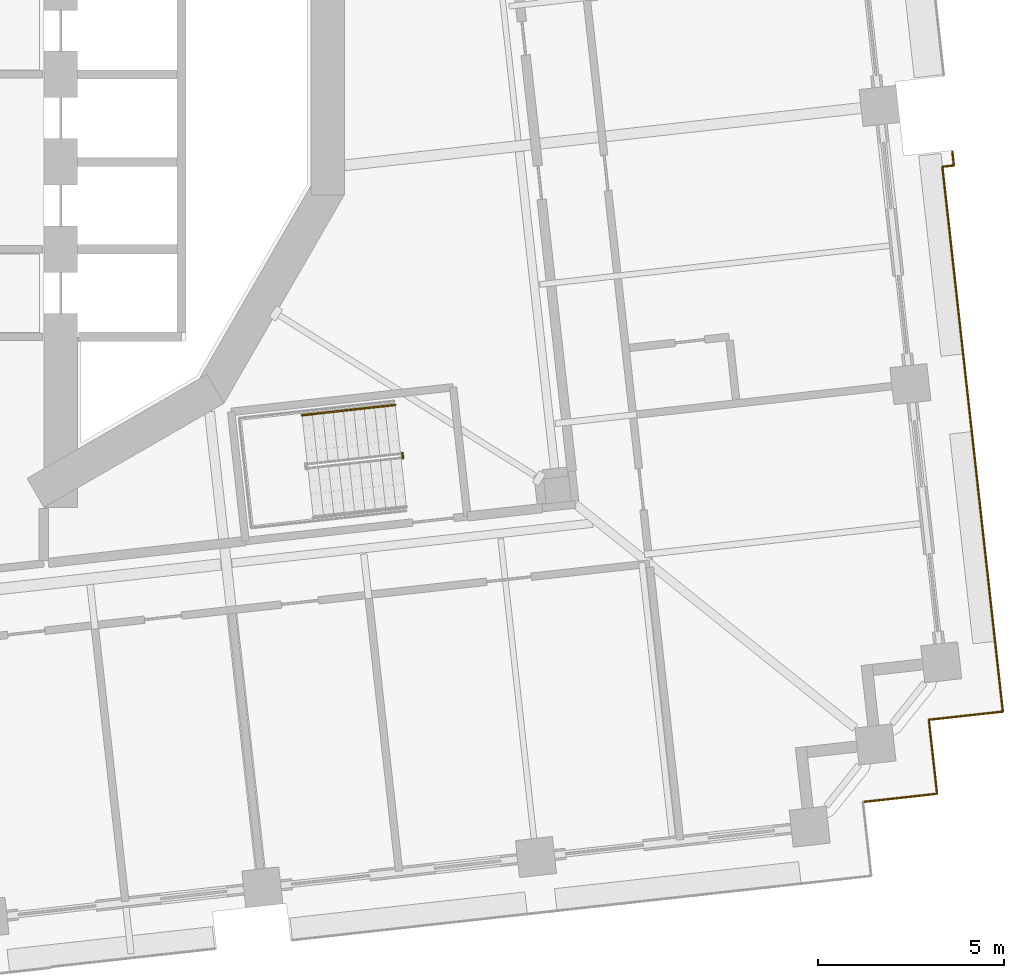
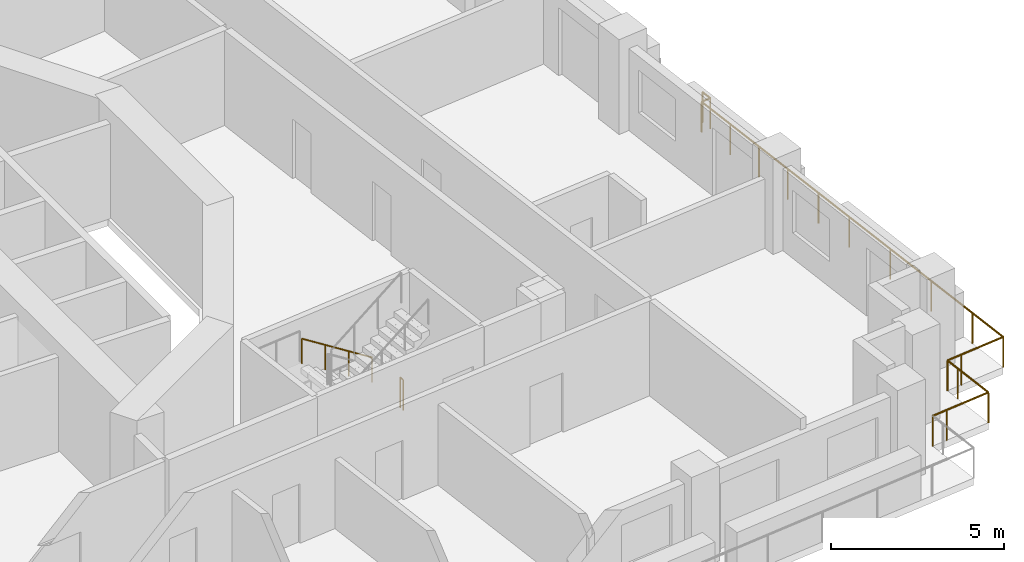
# One storey, part 17 of 21: 3 railings.
"""IFC4 building model written with IfcOpenShell, lengths in metres."""

from ifc_helpers import new_model, si_unit, direction, frame, origin, origin_2d, place, context, subcontext, project, spatial, circle, extrude, material, type_object, element, save


model = new_model("IFC4")

# Units and contexts
model_context = context("Model", 3, precision=1e-05, world=origin(), true_north=direction((0.0, 1.0)))
body_context = subcontext(model_context, "Body", "Model", "MODEL_VIEW")
ifc_project = project(units=[si_unit("LENGTHUNIT", "METRE"), si_unit("AREAUNIT", "SQUARE_METRE"), si_unit("VOLUMEUNIT", "CUBIC_METRE"), si_unit("PLANEANGLEUNIT", "RADIAN"), si_unit("MASSUNIT", "GRAM", prefix="KILO")], contexts=[model_context])

# Site, building, storey
site_placement = place(None, origin())
site = spatial("IfcSite", under=ifc_project, at=site_placement, CompositionType="ELEMENT")
building_placement = place(site_placement, origin())
building = spatial("IfcBuilding", under=site, at=building_placement, Name="Cantera Rosa Tower", CompositionType="ELEMENT")
storey_placement = place(building_placement, frame((0.0, 0.0, 80.5)))
storey = spatial("IfcBuildingStorey", under=building, at=storey_placement, Name="L17", CompositionType="ELEMENT", Elevation=80.5)

# Railings
ifc_material_1 = material(Name="Stainless steel and laminated glass", Category="steel")
railing_type_1 = type_object("IfcRailingType", Name="GUARD 1100", PredefinedType="BALUSTRADE", material=ifc_material_1)
railing_1_placement = place(storey_placement, frame((28.412841796875, -2.068359375, 0.0)))
element("IfcRailing", 1, at=railing_1_placement, inside=storey, type_object=railing_type_1, Name="GUARD L17-10", PredefinedType="BALUSTRADE", context=body_context, shape_type="SweptSolid", body=[
    extrude(circle(Radius=0.030029296875, at=origin_2d()), frame((0.0, 0.0, 1.070068359375), z_axis=(0.110150366438, -0.993914934375, 0.0), x_axis=(0.993914934375, 0.110150366438, 0.0)), (0.0, 0.0, 1.0), 0.38134765625),
    extrude(circle(Radius=0.030029296875, at=origin_2d()), frame((0.0419921875, -0.37890625, 1.070068359375), z_axis=(-0.993864587477, -0.110603714944, 0.0), x_axis=(0.110603714944, -0.993864587477, 0.0)), (0.0, 0.0, 1.0), 0.311279296875),
    extrude(circle(Radius=0.030029296875, at=origin_2d()), frame((-0.267333984375, -0.413330078125, 1.070068359375), z_axis=(0.110336020431, -0.993894341767, 0.0), x_axis=(0.993894341767, 0.110336020431, 0.0)), (0.0, 0.0, 1.0), 4.20849609375),
    extrude(circle(Radius=0.030029296875, at=origin_2d()), frame((0.197021484375, -4.59619140625, 1.070068359375), z_axis=(0.110270748271, -0.993901585709, 0.0), x_axis=(0.993901585709, 0.110270748271, 0.0)), (0.0, 0.0, 1.0), 3.0),
    extrude(circle(Radius=0.030029296875, at=origin_2d()), frame((0.52783203125, -7.577880859375, 1.070068359375), z_axis=(0.110306895823, -0.993897574569, 0.0), x_axis=(0.993897574569, 0.110306895823, 0.0)), (0.0, 0.0, 1.0), 6.02001953125),
    extrude(circle(Radius=0.030029296875, at=origin_2d()), frame((1.19189453125, -13.561279296875, 1.070068359375), z_axis=(0.110360064491, -0.993891672249, 0.0), x_axis=(0.993891672249, 0.110360064491, 0.0)), (0.0, 0.0, 1.0), 1.5),
    extrude(circle(Radius=0.030029296875, at=origin_2d()), frame((1.357421875, -15.052001953125, 1.070068359375), z_axis=(-0.993891672249, -0.110360064491, 0.0), x_axis=(0.110360064491, -0.993891672249, 0.0)), (0.0, 0.0, 1.0), 1.5),
    extrude(circle(Radius=0.030029296875, at=origin_2d()), frame((-0.13330078125, -15.217529296875, 1.070068359375), z_axis=(-0.993895635261, -0.110324368158, 0.0), x_axis=(0.110324368158, -0.993895635261, 0.0)), (0.0, 0.0, 1.0), 0.500244140625),
    extrude(circle(Radius=0.030029296875, at=origin_2d()), frame((-0.63037109375, -15.272705078125, 1.070068359375), z_axis=(0.110324368158, -0.993895635261, 0.0), x_axis=(0.993895635261, 0.110324368158, 0.0)), (0.0, 0.0, 1.0), 0.500244140625),
    extrude(circle(Radius=0.030029296875, at=origin_2d()), frame((-0.5751953125, -15.769775390625, 1.070068359375), z_axis=(0.110360064491, -0.993891672249, 0.0), x_axis=(0.993891672249, 0.110360064491, 0.0)), (0.0, 0.0, 1.0), 1.5),
    extrude(circle(Radius=0.030029296875, at=origin_2d()), frame((-0.40966796875, -17.260498046875, 1.070068359375), z_axis=(-0.993893654236, -0.110342213455, 0.0), x_axis=(0.110342213455, -0.993893654236, 0.0)), (0.0, 0.0, 1.0), 1.500244140625),
    extrude(circle(Radius=0.030029296875, at=origin_2d()), frame((-1.900634765625, -17.426025390625, 1.070068359375), z_axis=(-0.9938896893, -0.110377921269, 0.0), x_axis=(0.110377921269, -0.9938896893, 0.0)), (0.0, 0.0, 1.0), 0.5),
    extrude(circle(Radius=0.02490234375, at=origin_2d()), origin(), (0.0, 0.0, 1.0), 1.0400390625),
    extrude(circle(Radius=0.02490234375, at=origin_2d()), frame((0.0419921875, -0.37890625, 0.0)), (0.0, 0.0, 1.0), 1.0400390625),
    extrude(circle(Radius=0.02490234375, at=origin_2d()), frame((-0.267333984375, -0.413330078125, 0.0)), (0.0, 0.0, 1.0), 1.0400390625),
    extrude(circle(Radius=0.02490234375, at=origin_2d()), frame((-0.112548828125, -1.8076171875, 0.0)), (0.0, 0.0, 1.0), 1.0400390625),
    extrude(circle(Radius=0.02490234375, at=origin_2d()), frame((0.042236328125, -3.201904296875, 0.0)), (0.0, 0.0, 1.0), 1.0400390625),
    extrude(circle(Radius=0.02490234375, at=origin_2d()), frame((0.197021484375, -4.59619140625, 0.0)), (0.0, 0.0, 1.0), 1.0400390625),
    extrude(circle(Radius=0.02490234375, at=origin_2d()), frame((0.3623046875, -6.0869140625, 0.0)), (0.0, 0.0, 1.0), 1.0400390625),
    extrude(circle(Radius=0.02490234375, at=origin_2d()), frame((0.52783203125, -7.577880859375, 0.0)), (0.0, 0.0, 1.0), 1.0400390625),
    extrude(circle(Radius=0.02490234375, at=origin_2d()), frame((0.749267578125, -9.572265625, 0.0)), (0.0, 0.0, 1.0), 1.0400390625),
    extrude(circle(Radius=0.02490234375, at=origin_2d()), frame((0.970458984375, -11.56689453125, 0.0)), (0.0, 0.0, 1.0), 1.0400390625),
    extrude(circle(Radius=0.02490234375, at=origin_2d()), frame((1.19189453125, -13.561279296875, 0.0)), (0.0, 0.0, 1.0), 1.0400390625),
    extrude(circle(Radius=0.02490234375, at=origin_2d()), frame((1.357421875, -15.052001953125, 0.0)), (0.0, 0.0, 1.0), 1.0400390625),
    extrude(circle(Radius=0.02490234375, at=origin_2d()), frame((-0.13330078125, -15.217529296875, 0.0)), (0.0, 0.0, 1.0), 1.0400390625),
    extrude(circle(Radius=0.02490234375, at=origin_2d()), frame((-0.63037109375, -15.272705078125, 0.0)), (0.0, 0.0, 1.0), 1.0400390625),
    extrude(circle(Radius=0.02490234375, at=origin_2d()), frame((-0.5751953125, -15.769775390625, 0.0)), (0.0, 0.0, 1.0), 1.0400390625),
    extrude(circle(Radius=0.02490234375, at=origin_2d()), frame((-0.40966796875, -17.260498046875, 0.0)), (0.0, 0.0, 1.0), 1.0400390625),
    extrude(circle(Radius=0.02490234375, at=origin_2d()), frame((-1.900634765625, -17.426025390625, 0.0)), (0.0, 0.0, 1.0), 1.0400390625),
    extrude(circle(Radius=0.02490234375, at=origin_2d()), frame((-2.3974609375, -17.481201171875, 0.0)), (0.0, 0.0, 1.0), 1.0400390625),
])
ifc_material_2 = material(Name="Steel S355J2 (EN 10025-2)", Category="steel")
railing_type_2 = type_object("IfcRailingType", Name="STAIR GUARD 1100", PredefinedType="GUARDRAIL", material=ifc_material_2)
railing_2_placement = place(storey_placement, frame((13.6328125, -10.16552734375, 0.0)))
element("IfcRailing", 2, at=railing_2_placement, inside=storey, type_object=railing_type_2, Name="L17 ST-14 stair guard 3", PredefinedType="GUARDRAIL", context=body_context, shape_type="SweptSolid", body=[
    extrude(circle(Radius=0.02392578125, at=origin_2d()), frame((0.0, 0.0, 1.076171875), z_axis=(0.110610055588, -0.993863881828, 0.0), x_axis=(0.993863881828, 0.110610055588, 0.0)), (0.0, 0.0, 1.0), 0.150146484375),
    extrude(circle(Radius=0.02099609375, at=origin_2d()), origin(), (0.0, 0.0, 1.0), 1.052001953125),
    extrude(circle(Radius=0.02099609375, at=origin_2d()), frame((0.0166015625, -0.149169921875, 0.0)), (0.0, 0.0, 1.0), 1.052001953125),
])
ifc_material_3 = material(Name="Steel S355J2 (EN 10025-2)", Category="steel")
railing_type_3 = type_object("IfcRailingType", Name="STAIR HANDRAIL 900", PredefinedType="HANDRAIL", material=ifc_material_3)
railing_3_placement = place(storey_placement, frame((13.439697265625, -8.87890625, 0.18994140625)))
element("IfcRailing", 3, at=railing_3_placement, inside=storey, type_object=railing_type_3, Name="L17 ST-14 stair handrail 1", PredefinedType="HANDRAIL", context=body_context, shape_type="SweptSolid", body=[
    extrude(circle(Radius=0.02392578125, at=origin_2d()), frame((0.0, 0.0, 0.8759765625), z_axis=(-0.822431337597, -0.091310000343, 0.561488360321), x_axis=(0.110346460196, -0.993893182753, 0.0)), (0.0, 0.0, 1.0), 3.04541015625),
    extrude(circle(Radius=0.02099609375, at=origin_2d()), origin(), (0.0, 0.0, 1.0), 0.851806640625),
    extrude(circle(Radius=0.02099609375, at=origin_2d()), frame((-0.8349609375, -0.0927734375, 0.570068359375)), (0.0, 0.0, 1.0), 0.851806640625),
    extrude(circle(Radius=0.02099609375, at=origin_2d()), frame((-1.669677734375, -0.185302734375, 1.139892578125)), (0.0, 0.0, 1.0), 0.851806640625),
    extrude(circle(Radius=0.02099609375, at=origin_2d()), frame((-2.504638671875, -0.278076171875, 1.7099609375)), (0.0, 0.0, 1.0), 0.851806640625),
])

save(model, "model.ifc")
